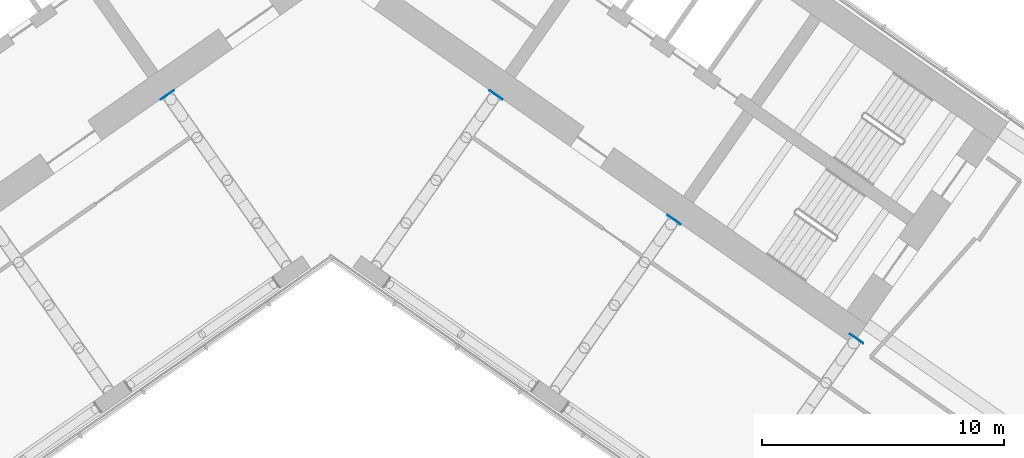
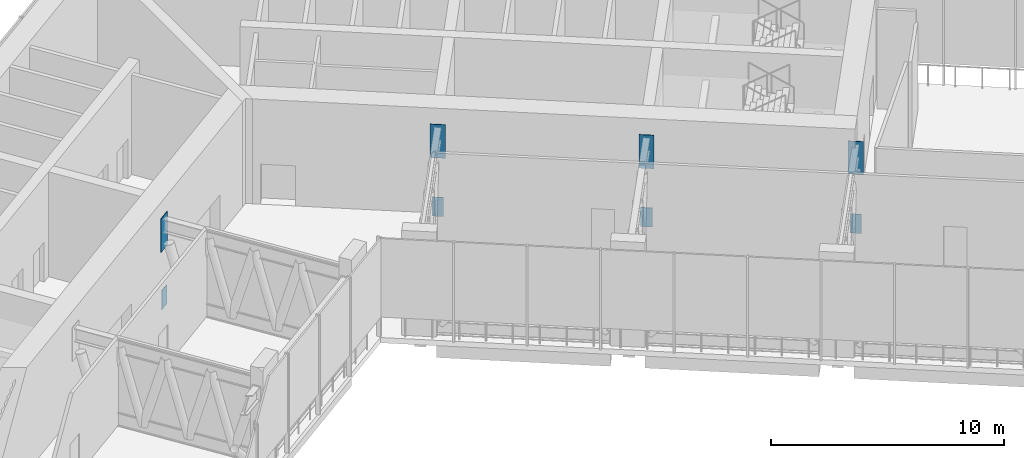
# One storey, part 10 of 24: 8 discrete accessories.
"""IFC4 building model written with IfcOpenShell, lengths in metres."""

from ifc_helpers import new_model, si_unit, direction, frame, origin, origin_2d, place, context, subcontext, project, spatial, rectangle, extrude, material, layer, layer_set, type_object, element, save


model = new_model("IFC4")

# Units and contexts
model_context = context("Model", 3, precision=1e-05, world=origin(), true_north=direction((0.0, 1.0)))
body_context = subcontext(model_context, "Body", "Model", "MODEL_VIEW")
ifc_project = project(units=[si_unit("LENGTHUNIT", "METRE"), si_unit("AREAUNIT", "SQUARE_METRE"), si_unit("VOLUMEUNIT", "CUBIC_METRE"), si_unit("PLANEANGLEUNIT", "RADIAN"), si_unit("MASSUNIT", "GRAM", prefix="KILO")], contexts=[model_context])

# Site, building, storey
site_placement = place(None, origin())
site = spatial("IfcSite", under=ifc_project, at=site_placement, CompositionType="ELEMENT")
building_placement = place(site_placement, origin())
building = spatial("IfcBuilding", under=site, at=building_placement, Name="Tel Ilan Convention Tower", CompositionType="ELEMENT")
storey_placement = place(building_placement, frame((0.0, 0.0, 126.5)))
storey = spatial("IfcBuildingStorey", under=building, at=storey_placement, Name="L28", CompositionType="ELEMENT", Elevation=126.5)

# Discrete accessories
ifc_material = material(Name="Steel S355", Category="steel")
ifc_layer = layer(ifc_material, 0.030029296875)
ifc_layer_set = layer_set([ifc_layer], Name="Cast-in Plate 30 mm Steel S355")
discrete_accessory_type = type_object("IfcDiscreteAccessoryType", Name="Cast-in Plate 30 mm Steel S355", PredefinedType="ANCHORPLATE", material=ifc_layer_set)
discrete_accessory_1_placement = place(storey_placement, frame((-6.790283203125, -5.99365234375, -0.14990234375), z_axis=(0.0, 0.0, 1.0), x_axis=(-0.573576436351, 0.819152044289, 0.0)))
element("IfcDiscreteAccessory", 1, at=discrete_accessory_1_placement, inside=storey, type_object=discrete_accessory_type, Name="L28 W-F1 outrigger cast-in plate", PredefinedType="ANCHORPLATE", context=body_context, shape_type="SweptSolid", body=[
    extrude(rectangle(XDim=0.030029296875, YDim=0.5, at=origin_2d()), origin(), (0.0, 0.0, 1.0), 1.0),
])
discrete_accessory_2_placement = place(storey_placement, frame((-6.790283203125, -5.99365234375, 2.90869140625), z_axis=(0.0, 0.0, 1.0), x_axis=(-0.573576436351, 0.819152044289, 0.0)))
element("IfcDiscreteAccessory", 2, at=discrete_accessory_2_placement, inside=storey, type_object=discrete_accessory_type, Name="L28 W-F1 outrigger cast-in plate", PredefinedType="ANCHORPLATE", context=body_context, shape_type="SweptSolid", body=[
    extrude(rectangle(XDim=0.030029296875, YDim=0.656982421875, at=origin_2d()), origin(), (0.0, 0.0, 1.0), 1.76123046875),
])
discrete_accessory_3_placement = place(storey_placement, frame((6.790283203125, -5.99365234375, -0.14990234375), z_axis=(0.0, 0.0, 1.0), x_axis=(0.573576436351, 0.819152044289, 0.0)))
element("IfcDiscreteAccessory", 3, at=discrete_accessory_3_placement, inside=storey, type_object=discrete_accessory_type, Name="L28 E-F1 outrigger cast-in plate", PredefinedType="ANCHORPLATE", context=body_context, shape_type="SweptSolid", body=[
    extrude(rectangle(XDim=0.030029296875, YDim=0.5, at=origin_2d()), origin(), (0.0, 0.0, 1.0), 1.0),
])
discrete_accessory_4_placement = place(storey_placement, frame((6.790283203125, -5.99365234375, 2.90869140625), z_axis=(0.0, 0.0, 1.0), x_axis=(0.573576436351, 0.819152044289, 0.0)))
element("IfcDiscreteAccessory", 4, at=discrete_accessory_4_placement, inside=storey, type_object=discrete_accessory_type, Name="L28 E-F1 outrigger cast-in plate", PredefinedType="ANCHORPLATE", context=body_context, shape_type="SweptSolid", body=[
    extrude(rectangle(XDim=0.030029296875, YDim=0.656982421875, at=origin_2d()), origin(), (0.0, 0.0, 1.0), 1.76123046875),
])
discrete_accessory_5_placement = place(storey_placement, frame((14.16259765625, -11.15576171875, -0.14990234375), z_axis=(0.0, 0.0, 1.0), x_axis=(0.573576436351, 0.819152044289, 0.0)))
element("IfcDiscreteAccessory", 5, at=discrete_accessory_5_placement, inside=storey, type_object=discrete_accessory_type, Name="L28 E-F2 outrigger cast-in plate", PredefinedType="ANCHORPLATE", context=body_context, shape_type="SweptSolid", body=[
    extrude(rectangle(XDim=0.030029296875, YDim=0.5, at=origin_2d()), origin(), (0.0, 0.0, 1.0), 1.0),
])
discrete_accessory_6_placement = place(storey_placement, frame((14.16259765625, -11.15576171875, 2.90869140625), z_axis=(0.0, 0.0, 1.0), x_axis=(0.573576436351, 0.819152044289, 0.0)))
element("IfcDiscreteAccessory", 6, at=discrete_accessory_6_placement, inside=storey, type_object=discrete_accessory_type, Name="L28 E-F2 outrigger cast-in plate", PredefinedType="ANCHORPLATE", context=body_context, shape_type="SweptSolid", body=[
    extrude(rectangle(XDim=0.030029296875, YDim=0.656982421875, at=origin_2d()), origin(), (0.0, 0.0, 1.0), 1.76123046875),
])
discrete_accessory_7_placement = place(storey_placement, frame((21.70703125, -16.072265625, -0.14990234375), z_axis=(0.0, 0.0, 1.0), x_axis=(0.573576436351, 0.819152044289, 0.0)))
element("IfcDiscreteAccessory", 7, at=discrete_accessory_7_placement, inside=storey, type_object=discrete_accessory_type, Name="L28 E-F3 outrigger cast-in plate", PredefinedType="ANCHORPLATE", context=body_context, shape_type="SweptSolid", body=[
    extrude(rectangle(XDim=0.030029296875, YDim=0.5, at=origin_2d()), origin(), (0.0, 0.0, 1.0), 1.0),
])
discrete_accessory_8_placement = place(storey_placement, frame((21.70703125, -16.072265625, 2.9404296875), z_axis=(0.0, 0.0, 1.0), x_axis=(0.573576436351, 0.819152044289, 0.0)))
element("IfcDiscreteAccessory", 8, at=discrete_accessory_8_placement, inside=storey, type_object=discrete_accessory_type, Name="L28 E-F3 outrigger cast-in plate", PredefinedType="ANCHORPLATE", context=body_context, shape_type="SweptSolid", body=[
    extrude(rectangle(XDim=0.030029296875, YDim=0.656982421875, at=origin_2d()), origin(), (0.0, 0.0, 1.0), 1.729736328125),
])

save(model, "model.ifc")
